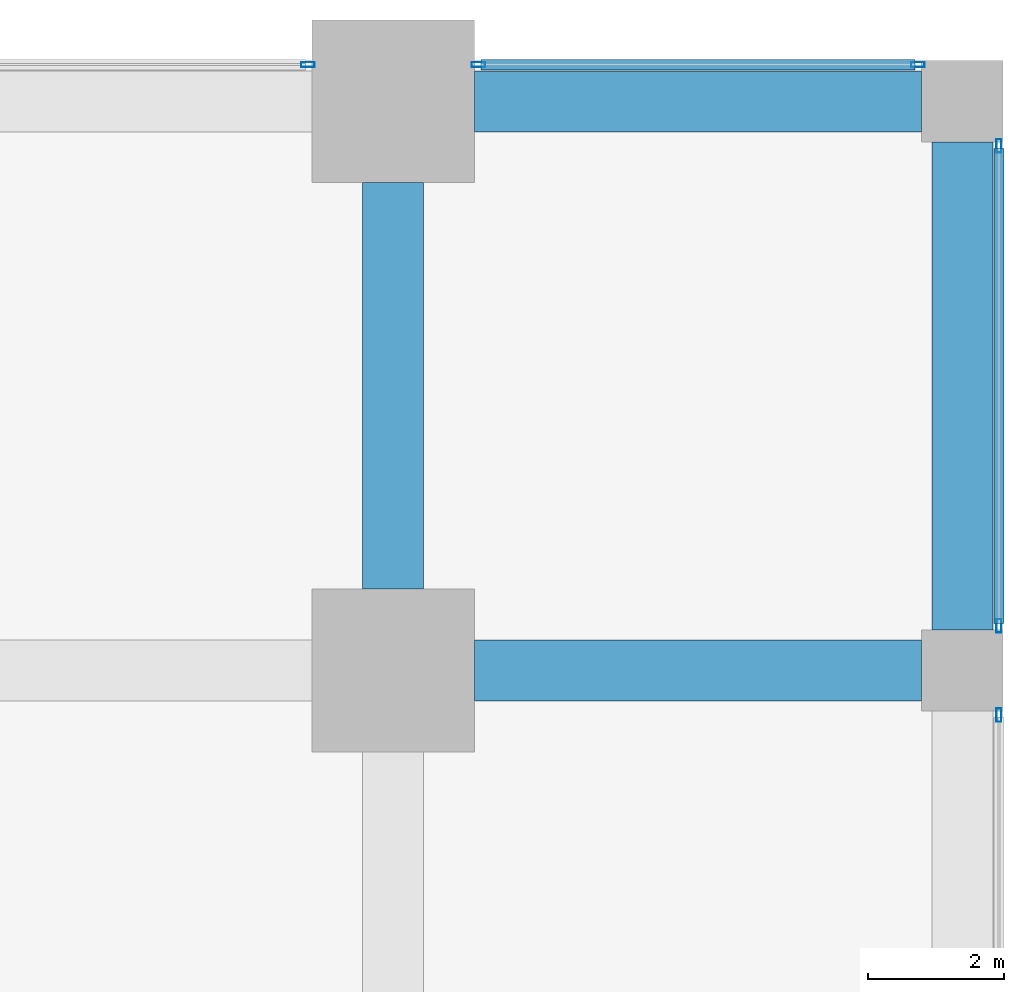
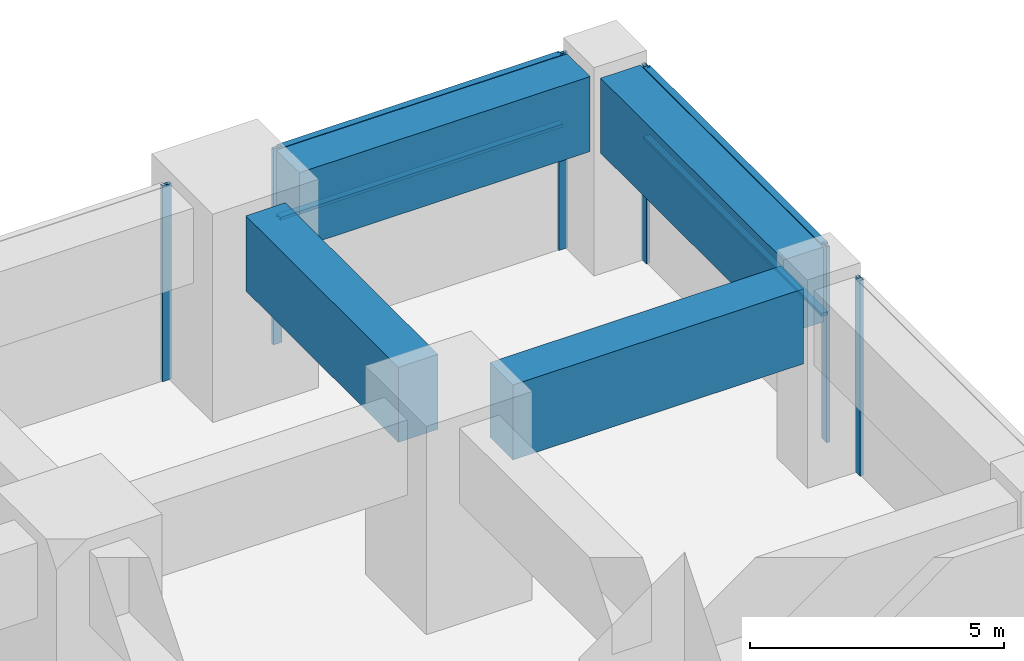
# One storey, part 33 of 48: 10 members, 4 beams, 4 elements without a shape of their own.
"""IFC4 building model written with IfcOpenShell, lengths in metres."""

import ifcopenshell
import ifcopenshell.guid

model = None  # the IFC model being written
_history = None  # IfcOwnerHistory: only IFC2X3 demands one
_inside = {}  # id of a spatial element -> (the spatial element, [elements in it])
_under = {}  # id of a project, library or spatial element -> (it, [spatial elements below it])
_declared = {}  # id of a project -> (the project, [libraries it declares])
_typed = {}  # id of a type object -> (the type object, [elements of that type])
_made_of = {}  # id of a material, layer set ... -> (it, [elements and type objects made of it])


def new_model(schema):
    """Start an empty IFC model of exactly this schema.

    Asked for "IFC4X3", IfcOpenShell would pick the latest addendum, in which some entities
    have other attributes; the version numbers below select the first issue.
    IFC2X3 requires an IfcOwnerHistory on every rooted entity: one is made here for all.
    """
    global model, _history
    if schema == "IFC4X3":
        model = ifcopenshell.file(schema_version=(4, 3, 0, 0))
    else:
        model = ifcopenshell.file(schema=schema)
    _inside.clear()
    _under.clear()
    _declared.clear()
    _typed.clear()
    _made_of.clear()
    _history = None
    if model.schema == "IFC2X3":
        org = make("IfcOrganization", Name="unknown")
        user = make(
            "IfcPersonAndOrganization",
            ThePerson=make("IfcPerson", FamilyName="unknown"),
            TheOrganization=org,
        )
        app = make(
            "IfcApplication",
            ApplicationDeveloper=org,
            Version="unknown",
            ApplicationFullName="unknown",
            ApplicationIdentifier="unknown",
        )
        _history = make(
            "IfcOwnerHistory",
            OwningUser=user,
            OwningApplication=app,
            ChangeAction="ADDED",
            CreationDate=0,
        )
    return model


def make(cls, **values):
    """One entity of the class cls with the attributes given. An attribute that is None is left unset."""
    return model.create_entity(
        cls, **{name: value for name, value in values.items() if value is not None}
    )


def rooted(cls, **values):
    """An entity with a GlobalId (a new one), such as an element, a storey or a relation."""
    return make(cls, GlobalId=ifcopenshell.guid.new(), OwnerHistory=_history, **values)


def si_unit(unit_type, name, prefix=None):
    """IfcSIUnit, for example si_unit("LENGTHUNIT", "METRE", prefix="MILLI")."""
    return make("IfcSIUnit", UnitType=unit_type, Prefix=prefix, Name=name)


def assignment(units):
    """IfcUnitAssignment: the units of a project."""
    return None if units is None else make("IfcUnitAssignment", Units=units)


def point(xyz):
    """IfcCartesianPoint."""
    return None if xyz is None else make("IfcCartesianPoint", Coordinates=xyz)


def direction(xyz):
    """IfcDirection."""
    return None if xyz is None else make("IfcDirection", DirectionRatios=xyz)


def frame(location, z_axis=None, x_axis=None):
    """IfcAxis2Placement3D, a coordinate frame: its origin and axes. An axis left out is left unset."""
    return make(
        "IfcAxis2Placement3D",
        Location=point(location),
        Axis=direction(z_axis),
        RefDirection=direction(x_axis),
    )


def frame_2d(location, x_axis=None):
    """IfcAxis2Placement2D, a coordinate frame in the plane: its origin and x axis."""
    return make(
        "IfcAxis2Placement2D", Location=point(location), RefDirection=direction(x_axis)
    )


def origin():
    """The frame at (0, 0, 0) with its axes left unset."""
    return frame((0.0, 0.0, 0.0))


def origin_2d():
    """The frame at (0, 0) in the plane with its x axis left unset."""
    return frame_2d((0.0, 0.0))


def place(relative_to, where):
    """IfcLocalPlacement: puts the frame where relative to a parent placement (None: the world)."""
    return make(
        "IfcLocalPlacement", PlacementRelTo=relative_to, RelativePlacement=where
    )


def context(
    kind, dimensions, precision=None, world=None, true_north=None, identifier=None
):
    """IfcGeometricRepresentationContext, for example the 3D "Model" context."""
    return make(
        "IfcGeometricRepresentationContext",
        ContextIdentifier=identifier,
        ContextType=kind,
        CoordinateSpaceDimension=dimensions,
        Precision=precision,
        WorldCoordinateSystem=world,
        TrueNorth=true_north,
    )


def subcontext(parent, identifier, kind, view, scale=None):
    """IfcGeometricRepresentationSubContext, for example "Body" below "Model"."""
    return make(
        "IfcGeometricRepresentationSubContext",
        ContextIdentifier=identifier,
        ContextType=kind,
        ParentContext=parent,
        TargetScale=scale,
        TargetView=view,
    )


def project(units=None, contexts=None):
    """IfcProject with its units and contexts."""
    return rooted(
        "IfcProject",
        Name="project",
        RepresentationContexts=contexts,
        UnitsInContext=assignment(units),
    )


def spatial(cls, under=None, at=None, **own):
    """A site, building, storey or space (cls), placed at a placement, below another one or the project."""
    s = rooted(cls, ObjectPlacement=at, **own)
    if under is not None:
        _under.setdefault(under.id(), (under, []))[1].append(s)
    return s


def profile(cls, at=None, kind="AREA", **sizes):
    """A parametric profile (cls). Its sizes go by their IFC names, for example OverallWidth=200.0."""
    return make(cls, ProfileType=kind, Position=at, **sizes)


def rectangle(**sizes):
    """IfcRectangleProfileDef."""
    return profile("IfcRectangleProfileDef", **sizes)


def hollow_rectangle(**sizes):
    """IfcRectangleHollowProfileDef."""
    return profile("IfcRectangleHollowProfileDef", **sizes)


def extrude(swept, where, along, depth):
    """IfcExtrudedAreaSolid: the profile swept, set in the frame where, extruded along a direction by depth."""
    return make(
        "IfcExtrudedAreaSolid",
        SweptArea=swept,
        Position=where,
        ExtrudedDirection=direction(along),
        Depth=depth,
    )


def shape(context_of_items, identifier, shape_type, items):
    """IfcShapeRepresentation: the items that make up one representation, for example the "Body"."""
    return make(
        "IfcShapeRepresentation",
        ContextOfItems=context_of_items,
        RepresentationIdentifier=identifier,
        RepresentationType=shape_type,
        Items=items,
    )


def material(Name=None, Category=None):
    """IfcMaterial."""
    return make("IfcMaterial", Name=Name, Category=Category)


def material_profile(
    of_material, cross_section, Name=None, Category=None, Priority=None
):
    """IfcMaterialProfile: a cross section and its material."""
    return make(
        "IfcMaterialProfile",
        Name=Name,
        Material=of_material,
        Profile=cross_section,
        Priority=Priority,
        Category=Category,
    )


def profile_set(profiles, Name=None, composite=None):
    """IfcMaterialProfileSet."""
    return make(
        "IfcMaterialProfileSet",
        Name=Name,
        MaterialProfiles=profiles,
        CompositeProfile=composite,
    )


def made_of(thing, what):
    """Note that an element or type object is made of a material, layer set ...; save() writes the relation."""
    if what is not None:
        _made_of.setdefault(what.id(), (what, []))[1].append(thing)
    return thing


def type_object(cls, material=None, **own):
    """A type object (cls), such as IfcWallType, which elements share."""
    return made_of(rooted(cls, **own), material)


def element(
    cls,
    number,
    at=None,
    inside=None,
    cuts=None,
    type_object=None,
    material=None,
    context=None,
    identifier="Body",
    shape_type=None,
    held_by="IfcProductDefinitionShape",
    body=None,
    shapes=None,
    **own,
):
    """One element of the class cls, such as IfcWall. Its Tag is "e" and its number.

    at: its placement. inside: the storey or other place that contains it. cuts: it is an
    opening in that element (IfcRelVoidsElement). A single representation is given by context,
    identifier, shape_type and body (its items); several are given by shapes. held_by: the class
    of the entity that holds the representations. save() writes the other relations.
    """
    e = rooted(cls, Tag="e%d" % number, ObjectPlacement=at, **own)
    if body is not None:
        shapes = [shape(context, identifier, shape_type, body)]
    if shapes is not None:
        e.Representation = make(held_by, Representations=shapes)
    if inside is not None:
        _inside.setdefault(inside.id(), (inside, []))[1].append(e)
    if cuts is not None:
        rooted(
            "IfcRelVoidsElement", RelatingBuildingElement=cuts, RelatedOpeningElement=e
        )
    if type_object is not None:
        _typed.setdefault(type_object.id(), (type_object, []))[1].append(e)
    return made_of(e, material)


def aggregate(whole, parts):
    """IfcRelAggregates: a whole, such as a stair, and the parts it consists of."""
    return rooted("IfcRelAggregates", RelatingObject=whole, RelatedObjects=parts)


def save(model, path):
    """Write the relations noted so far, then the file.

    IfcRelAggregates (storeys below a building ...), IfcRelContainedInSpatialStructure (elements
    in a storey), IfcRelDefinesByType, IfcRelAssociatesMaterial and IfcRelDeclares: one each for
    every whole, place, type object, material and project.
    """
    for whole, parts in _under.values():
        aggregate(whole, parts)
    for where, things in _inside.values():
        rooted(
            "IfcRelContainedInSpatialStructure",
            RelatedElements=things,
            RelatingStructure=where,
        )
    for kind, things in _typed.values():
        rooted("IfcRelDefinesByType", RelatedObjects=things, RelatingType=kind)
    for what, things in _made_of.values():
        rooted("IfcRelAssociatesMaterial", RelatedObjects=things, RelatingMaterial=what)
    for by, libraries in _declared.values():
        rooted("IfcRelDeclares", RelatingContext=by, RelatedDefinitions=libraries)
    model.write(path)


model = new_model("IFC4")

# Units and contexts
model_context = context("Model", 3, precision=1e-05, world=origin(), true_north=direction((0.0, 1.0)))
body_context = subcontext(model_context, "Body", "Model", "MODEL_VIEW")
ifc_project = project(units=[si_unit("LENGTHUNIT", "METRE"), si_unit("AREAUNIT", "SQUARE_METRE"), si_unit("VOLUMEUNIT", "CUBIC_METRE"), si_unit("PLANEANGLEUNIT", "RADIAN"), si_unit("MASSUNIT", "GRAM", prefix="KILO")], contexts=[model_context])

# Site, building, storey
site_placement = place(None, origin())
site = spatial("IfcSite", under=ifc_project, at=site_placement, CompositionType="ELEMENT")
building_placement = place(site_placement, origin())
building = spatial("IfcBuilding", under=site, at=building_placement, Name="Rekha Terrace Tower", CompositionType="ELEMENT")
storey_placement = place(building_placement, frame((0.0, 0.0, 15.39990234375)))
storey = spatial("IfcBuildingStorey", under=building, at=storey_placement, Name="L03", CompositionType="ELEMENT", Elevation=15.39990234375)

# Curtain wall, member
ifc_material_1 = material(Name="Aluminium framing", Category="aluminium")
curtain_wall_type = type_object("IfcCurtainWallType", Name="CW4 podium shopfront glazing", PredefinedType="USERDEFINED", material=ifc_material_1)
curtain_wall_1_placement = place(storey_placement, origin())
curtain_wall_1 = element("IfcCurtainWall", 1, at=curtain_wall_1_placement, inside=storey, type_object=curtain_wall_type, Name="CW4 shopfront curtain wall", ObjectType="SHOPFRONT CURTAIN WALL", PredefinedType="USERDEFINED")
ifc_material_2 = material(Name="Aluminium mullion section", Category="aluminium")
ifc_material_profile_1 = material_profile(ifc_material_2, hollow_rectangle(XDim=0.074951171875, YDim=0.199951171875, WallThickness=0.00390625, at=origin_2d()), Name="AL RHS 75x200")
ifc_profile_set_1 = profile_set([ifc_material_profile_1], Name="Aluminium mullion section")
member_type_1 = type_object("IfcMemberType", Name="CW4 mullion RHS 75 x 200", PredefinedType="MULLION", material=ifc_profile_set_1)
member_1_placement = place(storey_placement, frame((76.139892578125, 49.742431640625, 0.0), z_axis=(0.0, 0.0, 1.0), x_axis=(-1.0, 0.0, 0.0)))
member_1 = element("IfcMember", 2, at=member_1_placement, type_object=member_type_1, Name="CW4 mullion 2", PredefinedType="MULLION", context=body_context, shape_type="SweptSolid", body=[
    extrude(hollow_rectangle(XDim=0.074951171875, YDim=0.199951171875, WallThickness=0.00390625, at=origin_2d()), origin(), (0.0, 0.0, 1.0), 4.7001953125),
])
aggregate(curtain_wall_1, [member_1])

# Curtain wall, members
curtain_wall_2_placement = place(storey_placement, origin())
curtain_wall_2 = element("IfcCurtainWall", 3, at=curtain_wall_2_placement, inside=storey, type_object=curtain_wall_type, Name="CW4 shopfront curtain wall", ObjectType="SHOPFRONT CURTAIN WALL", PredefinedType="USERDEFINED")
member_2_placement = place(storey_placement, frame((76.139892578125, 51.0576171875, 0.0), z_axis=(0.0, 0.0, 1.0), x_axis=(-1.0, 0.0, 0.0)))
member_2 = element("IfcMember", 4, at=member_2_placement, type_object=member_type_1, Name="CW4 mullion 1", PredefinedType="MULLION", context=body_context, shape_type="SweptSolid", body=[
    extrude(hollow_rectangle(XDim=0.074951171875, YDim=0.199951171875, WallThickness=0.00390625, at=origin_2d()), origin(), (0.0, 0.0, 1.0), 4.7001953125),
])
member_3_placement = place(storey_placement, frame((76.139892578125, 58.142578125, 0.0), z_axis=(0.0, 0.0, 1.0), x_axis=(-1.0, 0.0, 0.0)))
member_3 = element("IfcMember", 5, at=member_3_placement, type_object=member_type_1, Name="CW4 mullion 2", PredefinedType="MULLION", context=body_context, shape_type="SweptSolid", body=[
    extrude(hollow_rectangle(XDim=0.074951171875, YDim=0.199951171875, WallThickness=0.00390625, at=origin_2d()), origin(), (0.0, 0.0, 1.0), 4.7001953125),
])

curtain_wall_3_placement = place(storey_placement, origin())
curtain_wall_3 = element("IfcCurtainWall", 6, at=curtain_wall_3_placement, inside=storey, type_object=curtain_wall_type, Name="CW4 shopfront curtain wall", ObjectType="SHOPFRONT CURTAIN WALL", PredefinedType="USERDEFINED")
member_4_placement = place(storey_placement, frame((74.9423828125, 59.340087890625, 0.0), z_axis=(0.0, 0.0, 1.0), x_axis=(0.0, -1.0, 0.0)))
member_4 = element("IfcMember", 7, at=member_4_placement, type_object=member_type_1, Name="CW4 mullion 1", PredefinedType="MULLION", context=body_context, shape_type="SweptSolid", body=[
    extrude(hollow_rectangle(XDim=0.074951171875, YDim=0.199951171875, WallThickness=0.00390625, at=origin_2d()), origin(), (0.0, 0.0, 1.0), 4.7001953125),
])
member_5_placement = place(storey_placement, frame((68.45751953125, 59.340087890625, 0.0), z_axis=(0.0, 0.0, 1.0), x_axis=(0.0, -1.0, 0.0)))
member_5 = element("IfcMember", 8, at=member_5_placement, type_object=member_type_1, Name="CW4 mullion 2", PredefinedType="MULLION", context=body_context, shape_type="SweptSolid", body=[
    extrude(hollow_rectangle(XDim=0.074951171875, YDim=0.199951171875, WallThickness=0.00390625, at=origin_2d()), origin(), (0.0, 0.0, 1.0), 4.7001953125),
])

# Curtain wall, member
curtain_wall_4_placement = place(storey_placement, origin())
curtain_wall_4 = element("IfcCurtainWall", 9, at=curtain_wall_4_placement, inside=storey, type_object=curtain_wall_type, Name="CW4 shopfront curtain wall", ObjectType="SHOPFRONT CURTAIN WALL", PredefinedType="USERDEFINED")
member_6_placement = place(storey_placement, frame((65.9423828125, 59.340087890625, 0.0), z_axis=(0.0, 0.0, 1.0), x_axis=(0.0, -1.0, 0.0)))
member_6 = element("IfcMember", 10, at=member_6_placement, type_object=member_type_1, Name="CW4 mullion 1", PredefinedType="MULLION", context=body_context, shape_type="SweptSolid", body=[
    extrude(hollow_rectangle(XDim=0.074951171875, YDim=0.199951171875, WallThickness=0.00390625, at=origin_2d()), origin(), (0.0, 0.0, 1.0), 4.7001953125),
])
aggregate(curtain_wall_4, [member_6])

# Member
ifc_material_3 = material(Name="Aluminium transom section", Category="aluminium")
ifc_material_profile_2 = material_profile(ifc_material_3, hollow_rectangle(XDim=0.14990234375, YDim=0.074951171875, WallThickness=0.0029296875, at=origin_2d()), Name="AL RHS 150x75")
ifc_profile_set_2 = profile_set([ifc_material_profile_2], Name="Aluminium transom section")
member_type_2 = type_object("IfcMemberType", Name="CW4 transom RHS 75 x 150", PredefinedType="USERDEFINED", material=ifc_profile_set_2)
member_7_placement = place(storey_placement, frame((76.139892578125, 51.094970703125, 3.0), z_axis=(0.0, 1.0, 0.0), x_axis=(-1.0, 0.0, 0.0)))
member_7 = element("IfcMember", 11, at=member_7_placement, type_object=member_type_2, Name="CW4 transom 1.2", ObjectType="TRANSOM", PredefinedType="USERDEFINED", context=body_context, shape_type="SweptSolid", body=[
    extrude(hollow_rectangle(XDim=0.14990234375, YDim=0.074951171875, WallThickness=0.0029296875, at=origin_2d()), origin(), (0.0, 0.0, 1.0), 7.010009765625),
])

member_8_placement = place(storey_placement, frame((76.139892578125, 51.094970703125, 4.66259765625), z_axis=(0.0, 1.0, 0.0), x_axis=(-1.0, 0.0, 0.0)))
member_8 = element("IfcMember", 12, at=member_8_placement, type_object=member_type_2, Name="CW4 transom 1.3", ObjectType="TRANSOM", PredefinedType="USERDEFINED", context=body_context, shape_type="SweptSolid", body=[
    extrude(hollow_rectangle(XDim=0.14990234375, YDim=0.074951171875, WallThickness=0.0029296875, at=origin_2d()), origin(), (0.0, 0.0, 1.0), 7.010009765625),
])

aggregate(curtain_wall_2, [member_2, member_3, member_7, member_8])

member_9_placement = place(storey_placement, frame((74.905029296875, 59.340087890625, 3.0), z_axis=(-1.0, 0.0, 0.0), x_axis=(0.0, -1.0, 0.0)))
member_9 = element("IfcMember", 13, at=member_9_placement, type_object=member_type_2, Name="CW4 transom 1.2", ObjectType="TRANSOM", PredefinedType="USERDEFINED", context=body_context, shape_type="SweptSolid", body=[
    extrude(hollow_rectangle(XDim=0.14990234375, YDim=0.074951171875, WallThickness=0.0029296875, at=origin_2d()), origin(), (0.0, 0.0, 1.0), 6.409912109375),
])

member_10_placement = place(storey_placement, frame((74.905029296875, 59.340087890625, 4.66259765625), z_axis=(-1.0, 0.0, 0.0), x_axis=(0.0, -1.0, 0.0)))
member_10 = element("IfcMember", 14, at=member_10_placement, type_object=member_type_2, Name="CW4 transom 1.3", ObjectType="TRANSOM", PredefinedType="USERDEFINED", context=body_context, shape_type="SweptSolid", body=[
    extrude(hollow_rectangle(XDim=0.14990234375, YDim=0.074951171875, WallThickness=0.0029296875, at=origin_2d()), origin(), (0.0, 0.0, 1.0), 6.409912109375),
])

aggregate(curtain_wall_3, [member_4, member_5, member_9, member_10])

# Beams
ifc_material_4 = material(Name="Concrete M60", Category="concrete")
ifc_material_profile_3 = material_profile(ifc_material_4, rectangle(XDim=0.89990234375, YDim=1.800048828125, at=origin_2d()), Name="RC 900x1800")
ifc_profile_set_3 = profile_set([ifc_material_profile_3], Name="Concrete M60")
beam_type = type_object("IfcBeamType", Name="G1 900x1800 podium floor beam", PredefinedType="BEAM", material=ifc_profile_set_3)
beam_1_placement = place(storey_placement, frame((68.39990234375, 50.39990234375, 3.800048828125), z_axis=(1.0, 0.0, 0.0), x_axis=(0.0, 1.0, 0.0)))
element("IfcBeam", 15, at=beam_1_placement, inside=storey, type_object=beam_type, Name="Beam G1 9G-10G under L04", PredefinedType="BEAM", context=body_context, shape_type="SweptSolid", body=[
    extrude(rectangle(XDim=0.89990234375, YDim=1.800048828125, at=origin_2d()), origin(), (0.0, 0.0, 1.0), 6.60009765625),
])
beam_2_placement = place(storey_placement, frame((67.199951171875, 51.60009765625, 3.800048828125), z_axis=(0.0, 1.0, 0.0), x_axis=(-1.0, 0.0, 0.0)))
element("IfcBeam", 16, at=beam_2_placement, inside=storey, type_object=beam_type, Name="Beam G1 9G-9H under L04", PredefinedType="BEAM", context=body_context, shape_type="SweptSolid", body=[
    extrude(rectangle(XDim=0.89990234375, YDim=1.800048828125, at=origin_2d()), origin(), (0.0, 0.0, 1.0), 6.0),
])
beam_3_placement = place(storey_placement, frame((68.39990234375, 58.800048828125, 3.800048828125), z_axis=(1.0, 0.0, 0.0), x_axis=(0.0, 1.0, 0.0)))
element("IfcBeam", 17, at=beam_3_placement, inside=storey, type_object=beam_type, Name="Beam G1 9H-10H under L04", PredefinedType="BEAM", context=body_context, shape_type="SweptSolid", body=[
    extrude(rectangle(XDim=0.89990234375, YDim=1.800048828125, at=origin_2d()), origin(), (0.0, 0.0, 1.0), 6.60009765625),
])
beam_4_placement = place(storey_placement, frame((75.60009765625, 51.0, 3.800048828125), z_axis=(0.0, 1.0, 0.0), x_axis=(-1.0, 0.0, 0.0)))
element("IfcBeam", 18, at=beam_4_placement, inside=storey, type_object=beam_type, Name="Beam G1 10G-10H under L04", PredefinedType="BEAM", context=body_context, shape_type="SweptSolid", body=[
    extrude(rectangle(XDim=0.89990234375, YDim=1.800048828125, at=origin_2d()), origin(), (0.0, 0.0, 1.0), 7.199951171875),
])

save(model, "model.ifc")
